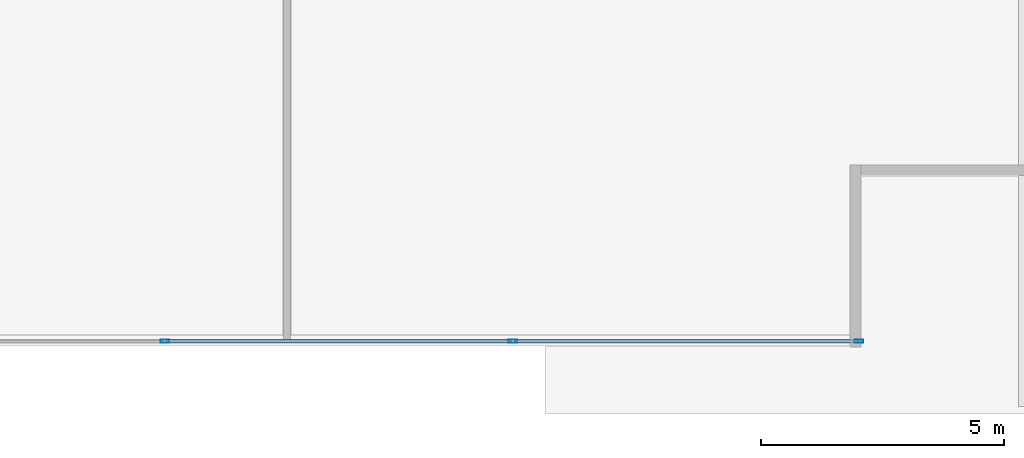
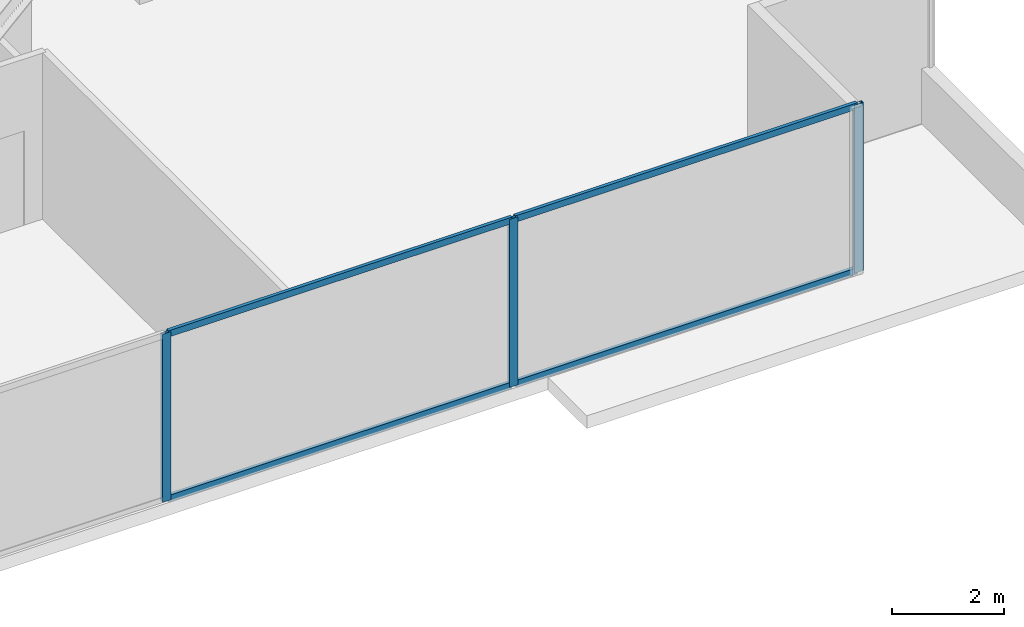
# One storey, part 10 of 30: 7 members, 1 element without a shape of its own.
"""IFC4 building model written with IfcOpenShell, lengths in metres."""

from ifc_helpers import new_model, si_unit, direction, frame, origin, origin_2d, place, context, subcontext, project, spatial, hollow_rectangle, extrude, source, transform, mapped, material, material_profile, profile_set, type_object, type_shapes, element, aggregate, save


model = new_model("IFC4")

# Units and contexts
model_context = context("Model", 3, precision=1e-05, world=origin(), true_north=direction((0.0, 1.0)))
body_context = subcontext(model_context, "Body", "Model", "MODEL_VIEW")
ifc_project = project(units=[si_unit("LENGTHUNIT", "METRE"), si_unit("AREAUNIT", "SQUARE_METRE"), si_unit("VOLUMEUNIT", "CUBIC_METRE"), si_unit("PLANEANGLEUNIT", "RADIAN"), si_unit("MASSUNIT", "GRAM", prefix="KILO")], contexts=[model_context])

# Site, building, storey
site_placement = place(None, origin())
site = spatial("IfcSite", under=ifc_project, at=site_placement, CompositionType="ELEMENT")
building_placement = place(site_placement, origin())
building = spatial("IfcBuilding", under=site, at=building_placement, Name="Krantzveldt Concourse Tower", CompositionType="ELEMENT")
storey_placement = place(building_placement, frame((0.0, 0.0, 25.0)))
storey = spatial("IfcBuildingStorey", under=building, at=storey_placement, Name="L05", CompositionType="ELEMENT", Elevation=25.0)

# Curtain wall, members
ifc_material = material(Name="Anodised aluminium 6063-T6", Category="aluminium")
curtain_wall_type = type_object("IfcCurtainWallType", Name="CW2", PredefinedType="USERDEFINED", material=ifc_material)
curtain_wall_placement = place(storey_placement, origin())
curtain_wall = element("IfcCurtainWall", 1, at=curtain_wall_placement, inside=storey, type_object=curtain_wall_type, Name="CW-L05-F04", ObjectType="UNITISED CURTAIN WALL", PredefinedType="USERDEFINED")
ifc_material_profile_1 = material_profile(ifc_material, hollow_rectangle(XDim=0.070068359375, YDim=0.179931640625, WallThickness=0.0048828125, at=origin_2d()), Name="Anodised aluminium 6063-T6", Category="aluminium")
ifc_profile_set_1 = profile_set([ifc_material_profile_1], Name="Anodised aluminium 6063-T6 - ALU-MULL 180x70x5")
member_type_1 = type_object("IfcMemberType", Name="CW-MUL-180", PredefinedType="MULLION", material=ifc_profile_set_1)
shared_shape_1 = source(origin(), body_context, "Body", "SweptSolid", [
    extrude(hollow_rectangle(XDim=0.070068359375, YDim=0.179931640625, WallThickness=0.0048828125, at=origin_2d()), origin(), (0.0, 0.0, 1.0), 3.669921875),
])
type_shapes(member_type_1, [shared_shape_1])
member_1_placement = place(storey_placement, frame((43.166748046875, 1.7900390625, 0.0), z_axis=(0.0, 0.0, 1.0), x_axis=(0.0, 1.0, 0.0)))
member_1 = element("IfcMember", 2, at=member_1_placement, type_object=member_type_1, Name="CW-Z12 mullion 5", PredefinedType="MULLION", context=body_context, shape_type="MappedRepresentation", body=[
    mapped(shared_shape_1, transform((0.0, 0.0, 0.0), x_axis=(1.0, 0.0, 0.0), y_axis=(0.0, 1.0, 0.0), z_axis=(0.0, 0.0, 1.0), scale=1.0)),
])
member_2_placement = place(storey_placement, frame((50.333251953125, 1.7900390625, 0.0), z_axis=(0.0, 0.0, 1.0), x_axis=(0.0, 1.0, 0.0)))
member_2 = element("IfcMember", 3, at=member_2_placement, type_object=member_type_1, Name="CW-Z12 mullion 6", PredefinedType="MULLION", context=body_context, shape_type="MappedRepresentation", body=[
    mapped(shared_shape_1, transform((0.0, 0.0, 0.0), x_axis=(1.0, 0.0, 0.0), y_axis=(0.0, 1.0, 0.0), z_axis=(0.0, 0.0, 1.0), scale=1.0)),
])
member_3_placement = place(storey_placement, frame((57.465087890625, 1.7900390625, 0.0), z_axis=(0.0, 0.0, 1.0), x_axis=(0.0, 1.0, 0.0)))
member_3 = element("IfcMember", 4, at=member_3_placement, type_object=member_type_1, Name="CW-Z12 mullion 7", PredefinedType="MULLION", context=body_context, shape_type="MappedRepresentation", body=[
    mapped(shared_shape_1, transform((0.0, 0.0, 0.0), x_axis=(1.0, 0.0, 0.0), y_axis=(0.0, 1.0, 0.0), z_axis=(0.0, 0.0, 1.0), scale=1.0)),
])
ifc_material_profile_2 = material_profile(ifc_material, hollow_rectangle(XDim=0.070068359375, YDim=0.139892578125, WallThickness=0.0048828125, at=origin_2d()), Name="Anodised aluminium 6063-T6", Category="aluminium")
ifc_profile_set_2 = profile_set([ifc_material_profile_2], Name="Anodised aluminium 6063-T6 - ALU-TRAN 140x70x5")
member_type_2 = type_object("IfcMemberType", Name="CW-TRN-150", PredefinedType="USERDEFINED", material=ifc_profile_set_2)
shared_shape_2 = source(origin(), body_context, "Body", "SweptSolid", [
    extrude(hollow_rectangle(XDim=0.070068359375, YDim=0.139892578125, WallThickness=0.0048828125, at=origin_2d()), origin(), (0.0, 0.0, 1.0), 7.0615234375),
])
member_4_placement = place(storey_placement, frame((50.368408203125, 1.7900390625, 0.034912109375), z_axis=(1.0, 0.0, 0.0), x_axis=(0.0, 1.0, 0.0)))
member_4 = element("IfcMember", 5, at=member_4_placement, type_object=member_type_2, Name="CW-Z12 transom 6.1", ObjectType="TRANSOM", PredefinedType="USERDEFINED", context=body_context, shape_type="MappedRepresentation", body=[
    mapped(shared_shape_2, transform((0.0, 0.0, 0.0), x_axis=(1.0, 0.0, 0.0), y_axis=(0.0, 1.0, 0.0), z_axis=(0.0, 0.0, 1.0), scale=1.0)),
])
member_5_placement = place(storey_placement, frame((50.368408203125, 1.7900390625, 3.635009765625), z_axis=(1.0, 0.0, 0.0), x_axis=(0.0, 1.0, 0.0)))
member_5 = element("IfcMember", 6, at=member_5_placement, type_object=member_type_2, Name="CW-Z12 transom 6.2", ObjectType="TRANSOM", PredefinedType="USERDEFINED", context=body_context, shape_type="MappedRepresentation", body=[
    mapped(shared_shape_2, transform((0.0, 0.0, 0.0), x_axis=(1.0, 0.0, 0.0), y_axis=(0.0, 1.0, 0.0), z_axis=(0.0, 0.0, 1.0), scale=1.0)),
])
shared_shape_3 = source(origin(), body_context, "Body", "SweptSolid", [
    extrude(hollow_rectangle(XDim=0.070068359375, YDim=0.139892578125, WallThickness=0.0048828125, at=origin_2d()), origin(), (0.0, 0.0, 1.0), 7.0966796875),
])
type_shapes(member_type_2, [shared_shape_2, shared_shape_3])
member_6_placement = place(storey_placement, frame((43.20166015625, 1.7900390625, 0.034912109375), z_axis=(1.0, 0.0, 0.0), x_axis=(0.0, 1.0, 0.0)))
member_6 = element("IfcMember", 7, at=member_6_placement, type_object=member_type_2, Name="CW-Z12 transom 5.1", ObjectType="TRANSOM", PredefinedType="USERDEFINED", context=body_context, shape_type="MappedRepresentation", body=[
    mapped(shared_shape_3, transform((0.0, 0.0, 0.0), x_axis=(1.0, 0.0, 0.0), y_axis=(0.0, 1.0, 0.0), z_axis=(0.0, 0.0, 1.0), scale=1.0)),
])
member_7_placement = place(storey_placement, frame((43.20166015625, 1.7900390625, 3.635009765625), z_axis=(1.0, 0.0, 0.0), x_axis=(0.0, 1.0, 0.0)))
member_7 = element("IfcMember", 8, at=member_7_placement, type_object=member_type_2, Name="CW-Z12 transom 5.2", ObjectType="TRANSOM", PredefinedType="USERDEFINED", context=body_context, shape_type="MappedRepresentation", body=[
    mapped(shared_shape_3, transform((0.0, 0.0, 0.0), x_axis=(1.0, 0.0, 0.0), y_axis=(0.0, 1.0, 0.0), z_axis=(0.0, 0.0, 1.0), scale=1.0)),
])
aggregate(curtain_wall, [member_1, member_2, member_3, member_6, member_7, member_4, member_5])

save(model, "model.ifc")
